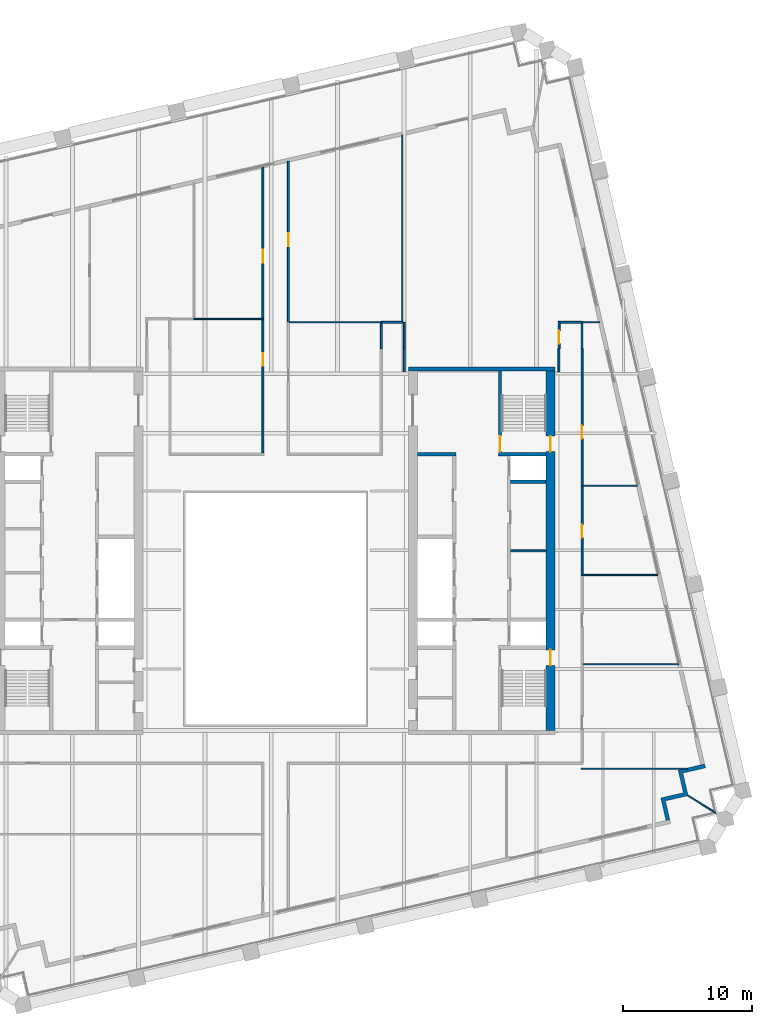
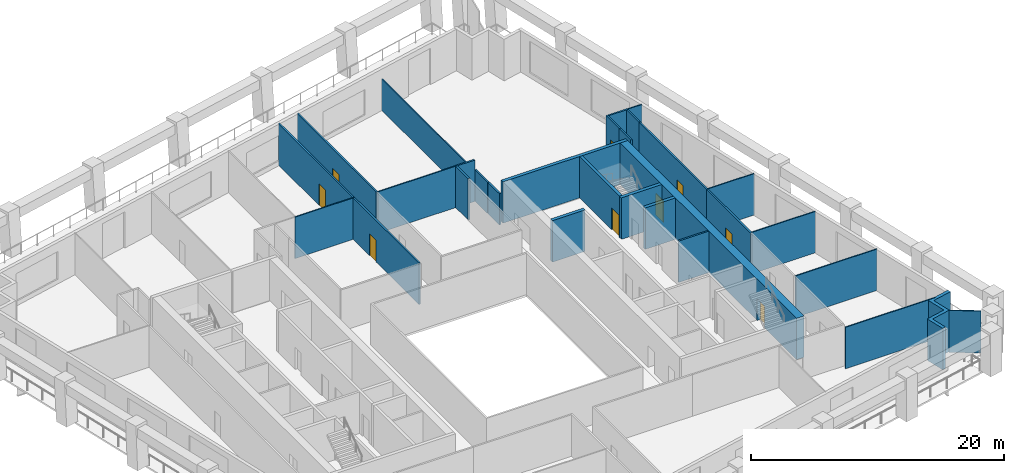
# One storey, part 7 of 10: 30 walls, 9 doors, 9 openings.
"""IFC4 building model written with IfcOpenShell, lengths in metres."""

import ifcopenshell
import ifcopenshell.guid

model = None  # the IFC model being written
_history = None  # IfcOwnerHistory: only IFC2X3 demands one
_inside = {}  # id of a spatial element -> (the spatial element, [elements in it])
_under = {}  # id of a project, library or spatial element -> (it, [spatial elements below it])
_declared = {}  # id of a project -> (the project, [libraries it declares])
_typed = {}  # id of a type object -> (the type object, [elements of that type])
_made_of = {}  # id of a material, layer set ... -> (it, [elements and type objects made of it])


def new_model(schema):
    """Start an empty IFC model of exactly this schema.

    Asked for "IFC4X3", IfcOpenShell would pick the latest addendum, in which some entities
    have other attributes; the version numbers below select the first issue.
    IFC2X3 requires an IfcOwnerHistory on every rooted entity: one is made here for all.
    """
    global model, _history
    if schema == "IFC4X3":
        model = ifcopenshell.file(schema_version=(4, 3, 0, 0))
    else:
        model = ifcopenshell.file(schema=schema)
    _inside.clear()
    _under.clear()
    _declared.clear()
    _typed.clear()
    _made_of.clear()
    _history = None
    if model.schema == "IFC2X3":
        org = make("IfcOrganization", Name="unknown")
        user = make(
            "IfcPersonAndOrganization",
            ThePerson=make("IfcPerson", FamilyName="unknown"),
            TheOrganization=org,
        )
        app = make(
            "IfcApplication",
            ApplicationDeveloper=org,
            Version="unknown",
            ApplicationFullName="unknown",
            ApplicationIdentifier="unknown",
        )
        _history = make(
            "IfcOwnerHistory",
            OwningUser=user,
            OwningApplication=app,
            ChangeAction="ADDED",
            CreationDate=0,
        )
    return model


def make(cls, **values):
    """One entity of the class cls with the attributes given. An attribute that is None is left unset."""
    return model.create_entity(
        cls, **{name: value for name, value in values.items() if value is not None}
    )


def rooted(cls, **values):
    """An entity with a GlobalId (a new one), such as an element, a storey or a relation."""
    return make(cls, GlobalId=ifcopenshell.guid.new(), OwnerHistory=_history, **values)


def si_unit(unit_type, name, prefix=None):
    """IfcSIUnit, for example si_unit("LENGTHUNIT", "METRE", prefix="MILLI")."""
    return make("IfcSIUnit", UnitType=unit_type, Prefix=prefix, Name=name)


def assignment(units):
    """IfcUnitAssignment: the units of a project."""
    return None if units is None else make("IfcUnitAssignment", Units=units)


def point(xyz):
    """IfcCartesianPoint."""
    return None if xyz is None else make("IfcCartesianPoint", Coordinates=xyz)


def direction(xyz):
    """IfcDirection."""
    return None if xyz is None else make("IfcDirection", DirectionRatios=xyz)


def frame(location, z_axis=None, x_axis=None):
    """IfcAxis2Placement3D, a coordinate frame: its origin and axes. An axis left out is left unset."""
    return make(
        "IfcAxis2Placement3D",
        Location=point(location),
        Axis=direction(z_axis),
        RefDirection=direction(x_axis),
    )


def frame_2d(location, x_axis=None):
    """IfcAxis2Placement2D, a coordinate frame in the plane: its origin and x axis."""
    return make(
        "IfcAxis2Placement2D", Location=point(location), RefDirection=direction(x_axis)
    )


def origin():
    """The frame at (0, 0, 0) with its axes left unset."""
    return frame((0.0, 0.0, 0.0))


def place(relative_to, where):
    """IfcLocalPlacement: puts the frame where relative to a parent placement (None: the world)."""
    return make(
        "IfcLocalPlacement", PlacementRelTo=relative_to, RelativePlacement=where
    )


def context(
    kind, dimensions, precision=None, world=None, true_north=None, identifier=None
):
    """IfcGeometricRepresentationContext, for example the 3D "Model" context."""
    return make(
        "IfcGeometricRepresentationContext",
        ContextIdentifier=identifier,
        ContextType=kind,
        CoordinateSpaceDimension=dimensions,
        Precision=precision,
        WorldCoordinateSystem=world,
        TrueNorth=true_north,
    )


def subcontext(parent, identifier, kind, view, scale=None):
    """IfcGeometricRepresentationSubContext, for example "Body" below "Model"."""
    return make(
        "IfcGeometricRepresentationSubContext",
        ContextIdentifier=identifier,
        ContextType=kind,
        ParentContext=parent,
        TargetScale=scale,
        TargetView=view,
    )


def project(units=None, contexts=None):
    """IfcProject with its units and contexts."""
    return rooted(
        "IfcProject",
        Name="project",
        RepresentationContexts=contexts,
        UnitsInContext=assignment(units),
    )


def spatial(cls, under=None, at=None, **own):
    """A site, building, storey or space (cls), placed at a placement, below another one or the project."""
    s = rooted(cls, ObjectPlacement=at, **own)
    if under is not None:
        _under.setdefault(under.id(), (under, []))[1].append(s)
    return s


def polyline(points):
    """IfcPolyline through the points."""
    return make("IfcPolyline", Points=[point(p) for p in points])


def profile(cls, at=None, kind="AREA", **sizes):
    """A parametric profile (cls). Its sizes go by their IFC names, for example OverallWidth=200.0."""
    return make(cls, ProfileType=kind, Position=at, **sizes)


def rectangle(**sizes):
    """IfcRectangleProfileDef."""
    return profile("IfcRectangleProfileDef", **sizes)


def outline(outer, holes=None, kind="AREA"):
    """IfcArbitraryClosedProfileDef: a profile drawn as a closed curve; with holes, ...WithVoids."""
    if holes is None:
        return make("IfcArbitraryClosedProfileDef", ProfileType=kind, OuterCurve=outer)
    return make(
        "IfcArbitraryProfileDefWithVoids",
        ProfileType=kind,
        OuterCurve=outer,
        InnerCurves=holes,
    )


def extrude(swept, where, along, depth):
    """IfcExtrudedAreaSolid: the profile swept, set in the frame where, extruded along a direction by depth."""
    return make(
        "IfcExtrudedAreaSolid",
        SweptArea=swept,
        Position=where,
        ExtrudedDirection=direction(along),
        Depth=depth,
    )


def shape(context_of_items, identifier, shape_type, items):
    """IfcShapeRepresentation: the items that make up one representation, for example the "Body"."""
    return make(
        "IfcShapeRepresentation",
        ContextOfItems=context_of_items,
        RepresentationIdentifier=identifier,
        RepresentationType=shape_type,
        Items=items,
    )


def material(Name=None, Category=None):
    """IfcMaterial."""
    return make("IfcMaterial", Name=Name, Category=Category)


def layer(
    of_material, thickness, ventilated=None, Name=None, Category=None, Priority=None
):
    """IfcMaterialLayer: one layer of a wall or slab, of a material (None: an air gap)."""
    return make(
        "IfcMaterialLayer",
        Material=of_material,
        LayerThickness=thickness,
        IsVentilated=ventilated,
        Name=Name,
        Category=Category,
        Priority=Priority,
    )


def layer_set(layers, Name=None):
    """IfcMaterialLayerSet."""
    return make("IfcMaterialLayerSet", MaterialLayers=layers, LayerSetName=Name)


def made_of(thing, what):
    """Note that an element or type object is made of a material, layer set ...; save() writes the relation."""
    if what is not None:
        _made_of.setdefault(what.id(), (what, []))[1].append(thing)
    return thing


def type_object(cls, material=None, **own):
    """A type object (cls), such as IfcWallType, which elements share."""
    return made_of(rooted(cls, **own), material)


def element(
    cls,
    number,
    at=None,
    inside=None,
    cuts=None,
    type_object=None,
    material=None,
    context=None,
    identifier="Body",
    shape_type=None,
    held_by="IfcProductDefinitionShape",
    body=None,
    shapes=None,
    **own,
):
    """One element of the class cls, such as IfcWall. Its Tag is "e" and its number.

    at: its placement. inside: the storey or other place that contains it. cuts: it is an
    opening in that element (IfcRelVoidsElement). A single representation is given by context,
    identifier, shape_type and body (its items); several are given by shapes. held_by: the class
    of the entity that holds the representations. save() writes the other relations.
    """
    e = rooted(cls, Tag="e%d" % number, ObjectPlacement=at, **own)
    if body is not None:
        shapes = [shape(context, identifier, shape_type, body)]
    if shapes is not None:
        e.Representation = make(held_by, Representations=shapes)
    if inside is not None:
        _inside.setdefault(inside.id(), (inside, []))[1].append(e)
    if cuts is not None:
        rooted(
            "IfcRelVoidsElement", RelatingBuildingElement=cuts, RelatedOpeningElement=e
        )
    if type_object is not None:
        _typed.setdefault(type_object.id(), (type_object, []))[1].append(e)
    return made_of(e, material)


def fill(opening, filler):
    """IfcRelFillsElement: the door or window that sits in an opening."""
    return rooted(
        "IfcRelFillsElement",
        RelatingOpeningElement=opening,
        RelatedBuildingElement=filler,
    )


def aggregate(whole, parts):
    """IfcRelAggregates: a whole, such as a stair, and the parts it consists of."""
    return rooted("IfcRelAggregates", RelatingObject=whole, RelatedObjects=parts)


def save(model, path):
    """Write the relations noted so far, then the file.

    IfcRelAggregates (storeys below a building ...), IfcRelContainedInSpatialStructure (elements
    in a storey), IfcRelDefinesByType, IfcRelAssociatesMaterial and IfcRelDeclares: one each for
    every whole, place, type object, material and project.
    """
    for whole, parts in _under.values():
        aggregate(whole, parts)
    for where, things in _inside.values():
        rooted(
            "IfcRelContainedInSpatialStructure",
            RelatedElements=things,
            RelatingStructure=where,
        )
    for kind, things in _typed.values():
        rooted("IfcRelDefinesByType", RelatedObjects=things, RelatingType=kind)
    for what, things in _made_of.values():
        rooted("IfcRelAssociatesMaterial", RelatedObjects=things, RelatingMaterial=what)
    for by, libraries in _declared.values():
        rooted("IfcRelDeclares", RelatingContext=by, RelatedDefinitions=libraries)
    model.write(path)


model = new_model("IFC4")

# Units and contexts
model_context = context("Model", 3, precision=1e-05, world=origin(), true_north=direction((0.0, 1.0)))
body_context = subcontext(model_context, "Body", "Model", "MODEL_VIEW")
ifc_project = project(units=[si_unit("LENGTHUNIT", "METRE"), si_unit("AREAUNIT", "SQUARE_METRE"), si_unit("VOLUMEUNIT", "CUBIC_METRE"), si_unit("PLANEANGLEUNIT", "RADIAN"), si_unit("MASSUNIT", "GRAM", prefix="KILO")], contexts=[model_context])

# Site, building, storey
site_placement = place(None, origin())
site = spatial("IfcSite", under=ifc_project, at=site_placement, CompositionType="ELEMENT")
building_placement = place(site_placement, origin())
building = spatial("IfcBuilding", under=site, at=building_placement, Name="Ogive Exchange Tower", CompositionType="ELEMENT")
storey_placement = place(building_placement, frame((0.0, 0.0, 201.0)))
storey = spatial("IfcBuildingStorey", under=building, at=storey_placement, Name="L44", CompositionType="ELEMENT", Elevation=201.0)

# Walls
ifc_material_1 = material(Name="Gypsum board partition")
ifc_layer_1 = layer(ifc_material_1, 0.14990234375)
ifc_layer_set_1 = layer_set([ifc_layer_1], Name="Core room partition 150 gypsum")
wall_type_1 = type_object("IfcWallType", Name="Core room partition 150 gypsum", PredefinedType="PARTITIONING", material=ifc_layer_set_1)
wall_1_placement = place(storey_placement, frame((18.25, 11.5, 0.0), z_axis=(0.0, 0.0, 1.0), x_axis=(1.0, 0.0, 0.0)))
element("IfcWall", 1, at=wall_1_placement, inside=storey, type_object=wall_type_1, Name="E row A bay partition 1-1", PredefinedType="PARTITIONING", context=body_context, shape_type="SweptSolid", body=[
    extrude(rectangle(XDim=2.75, YDim=0.14990234375, at=frame_2d((1.375, 0.0))), origin(), (0.0, 0.0, 1.0), 4.0),
])
ifc_layer_2 = layer(ifc_material_1, 0.300048828125)
ifc_layer_set_2 = layer_set([ifc_layer_2], Name="Core room partition 300 gypsum")
wall_type_2 = type_object("IfcWallType", Name="Core room partition 300 gypsum", PredefinedType="PARTITIONING", material=ifc_layer_set_2)
wall_2_placement = place(storey_placement, frame((11.0, 19.0, 0.0), z_axis=(0.0, 0.0, 1.0), x_axis=(1.0, 0.0, 0.0)))
element("IfcWall", 2, at=wall_2_placement, inside=storey, type_object=wall_type_2, Name="E row B room end wall 7", PredefinedType="PARTITIONING", context=body_context, shape_type="SweptSolid", body=[
    extrude(rectangle(XDim=3.0, YDim=0.300048828125, at=frame_2d((1.5, 0.0))), origin(), (0.0, 0.0, 1.0), 4.0),
])

# Wall, opening, door
ifc_material_2 = material(Name="Fire partition EI 60 150")
ifc_layer_3 = layer(ifc_material_2, 0.14990234375)
ifc_layer_set_3 = layer_set([ifc_layer_3], Name="Fire partition EI 60 150")
wall_type_3 = type_object("IfcWallType", Name="Fire partition EI 60 150", PredefinedType="PARTITIONING", material=ifc_layer_set_3)
wall_3_placement = place(storey_placement, frame((-0.989990234375, 19.074951171875, 0.0), z_axis=(0.0, 0.0, 1.0), x_axis=(0.0, 1.0, 0.0)))
wall_3 = element("IfcWall", 3, at=wall_3_placement, inside=storey, type_object=wall_type_3, Name="L44-PWL-027", PredefinedType="PARTITIONING", context=body_context, shape_type="SweptSolid", body=[
    extrude(rectangle(XDim=10.375, YDim=0.14990234375, at=frame_2d((5.1875, 0.0))), origin(), (0.0, 0.0, 1.0), 4.0),
])
opening_1_placement = place(wall_3_placement, frame((6.77490234375, 0.0, 0.0)))
opening_1 = element("IfcOpeningElement", 4, at=opening_1_placement, cuts=wall_3, Name="Opening L44-I02", PredefinedType="OPENING", context=body_context, shape_type="SweptSolid", body=[
    extrude(rectangle(XDim=1.0, YDim=2.10009765625, at=frame_2d((0.5, 1.050048828125))), frame((0.0, 0.0849609375, 0.0), z_axis=(0.0, -1.0, 0.0), x_axis=(1.0, 0.0, 0.0)), (0.0, 0.0, 1.0), 0.169921875),
])
ifc_material_3 = material(Name="Fire door FD 30S 1000 x 2100")
door_type_1 = type_object("IfcDoorType", Name="Fire door FD 30S 1000 x 2100", OperationType="NOTDEFINED", PredefinedType="DOOR", material=ifc_material_3)
door_1_placement = place(opening_1_placement, origin())
door_1 = element("IfcDoor", 5, at=door_1_placement, inside=storey, type_object=door_type_1, Name="L44-IDR-002", ObjectType="DT3", OperationType="SINGLE_SWING_LEFT", OverallHeight=2.10009765625, OverallWidth=1.0, PredefinedType="DOOR", context=body_context, shape_type="SweptSolid", body=[
    extrude(rectangle(XDim=1.0, YDim=2.10009765625, at=frame_2d((0.5, 1.050048828125))), frame((0.0, 0.02490234375, 0.0), z_axis=(0.0, -1.0, 0.0), x_axis=(1.0, 0.0, 0.0)), (0.0, 0.0, 1.0), 0.050048828125),
])
fill(opening_1, door_1)

wall_4_placement = place(storey_placement, frame((-0.989990234375, 29.550048828125, 0.0), z_axis=(0.0, 0.0, 1.0), x_axis=(0.0, 1.0, 0.0)))
wall_4 = element("IfcWall", 6, at=wall_4_placement, inside=storey, type_object=wall_type_3, Name="L44-PWL-028", PredefinedType="PARTITIONING", context=body_context, shape_type="SweptSolid", body=[
    extrude(rectangle(XDim=11.745849609375, YDim=0.14990234375, at=frame_2d((5.873046875, 0.0))), origin(), (0.0, 0.0, 1.0), 4.0),
])
opening_2_placement = place(wall_4_placement, frame((4.320068359375, 0.0, 0.0)))
opening_2 = element("IfcOpeningElement", 7, at=opening_2_placement, cuts=wall_4, Name="Opening L44-I04", PredefinedType="OPENING", context=body_context, shape_type="SweptSolid", body=[
    extrude(rectangle(XDim=1.0, YDim=2.10009765625, at=frame_2d((0.5, 1.050048828125))), frame((0.0, 0.0849609375, 0.0), z_axis=(0.0, -1.0, 0.0), x_axis=(1.0, 0.0, 0.0)), (0.0, 0.0, 1.0), 0.169921875),
])
door_2_placement = place(opening_2_placement, origin())
door_2 = element("IfcDoor", 8, at=door_2_placement, inside=storey, type_object=door_type_1, Name="L44-IDR-004", ObjectType="DT3", OperationType="SINGLE_SWING_RIGHT", OverallHeight=2.10009765625, OverallWidth=1.0, PredefinedType="DOOR", context=body_context, shape_type="SweptSolid", body=[
    extrude(rectangle(XDim=1.0, YDim=2.10009765625, at=frame_2d((0.5, 1.050048828125))), frame((0.0, 0.02490234375, 0.0), z_axis=(0.0, -1.0, 0.0), x_axis=(1.0, 0.0, 0.0)), (0.0, 0.0, 1.0), 0.050048828125),
])
fill(opening_2, door_2)

wall_5_placement = place(storey_placement, frame((0.989990234375, 41.7529296875, 0.0), z_axis=(0.0, 0.0, 1.0), x_axis=(0.0, -1.0, 0.0)))
wall_5 = element("IfcWall", 9, at=wall_5_placement, inside=storey, type_object=wall_type_3, Name="L44-PWL-033", PredefinedType="PARTITIONING", context=body_context, shape_type="SweptSolid", body=[
    extrude(rectangle(XDim=12.512939453125, YDim=0.14990234375, at=frame_2d((6.25634765625, 0.0))), origin(), (0.0, 0.0, 1.0), 4.0),
])
opening_3_placement = place(wall_5_placement, frame((5.613037109375, 0.0, 0.0)))
opening_3 = element("IfcOpeningElement", 10, at=opening_3_placement, cuts=wall_5, Name="Opening L44-I16", PredefinedType="OPENING", context=body_context, shape_type="SweptSolid", body=[
    extrude(rectangle(XDim=1.0, YDim=2.10009765625, at=frame_2d((0.5, 1.050048828125))), frame((0.0, 0.0849609375, 0.0), z_axis=(0.0, -1.0, 0.0), x_axis=(1.0, 0.0, 0.0)), (0.0, 0.0, 1.0), 0.169921875),
])
door_3_placement = place(opening_3_placement, origin())
door_3 = element("IfcDoor", 11, at=door_3_placement, inside=storey, type_object=door_type_1, Name="L44-IDR-016", ObjectType="DT3", OperationType="SINGLE_SWING_LEFT", OverallHeight=2.10009765625, OverallWidth=1.0, PredefinedType="DOOR", context=body_context, shape_type="SweptSolid", body=[
    extrude(rectangle(XDim=1.0, YDim=2.10009765625, at=frame_2d((0.5, 1.050048828125))), frame((0.0, 0.02490234375, 0.0), z_axis=(0.0, -1.0, 0.0), x_axis=(1.0, 0.0, 0.0)), (0.0, 0.0, 1.0), 0.050048828125),
])
fill(opening_3, door_3)

# Walls
wall_6_placement = place(storey_placement, frame((8.2099609375, 27.199951171875, 0.0), z_axis=(0.0, 0.0, 1.0), x_axis=(0.0, 1.0, 0.0)))
element("IfcWall", 12, at=wall_6_placement, inside=storey, type_object=wall_type_3, Name="L44-PWL-035", PredefinedType="PARTITIONING", context=body_context, shape_type="SweptSolid", body=[
    extrude(rectangle(XDim=1.989990234375, YDim=0.14990234375, at=frame_2d((0.9951171875, 0.0))), origin(), (0.0, 0.0, 1.0), 4.0),
])
wall_7_placement = place(storey_placement, frame((8.2099609375, 29.239990234375, 0.0), z_axis=(0.0, 0.0, 1.0), x_axis=(1.0, 0.0, 0.0)))
element("IfcWall", 13, at=wall_7_placement, inside=storey, type_object=wall_type_3, Name="L44-PWL-036", PredefinedType="PARTITIONING", context=body_context, shape_type="SweptSolid", body=[
    extrude(rectangle(XDim=1.669921875, YDim=0.14990234375, at=frame_2d((0.8349609375, 0.0))), origin(), (0.0, 0.0, 1.0), 4.0),
])
wall_8_placement = place(storey_placement, frame((9.989990234375, 29.239990234375, 0.0), z_axis=(0.0, 0.0, 1.0), x_axis=(0.0, -1.0, 0.0)))
element("IfcWall", 14, at=wall_8_placement, inside=storey, type_object=wall_type_3, Name="L44-PWL-038", PredefinedType="PARTITIONING", context=body_context, shape_type="SweptSolid", body=[
    extrude(rectangle(XDim=2.0400390625, YDim=0.14990234375, at=frame_2d((1.02001953125, 0.0))), origin(), (0.0, 0.0, 1.0), 3.02001953125),
])
wall_9_placement = place(storey_placement, frame((10.0, 27.199951171875, 0.0), z_axis=(0.0, 0.0, 1.0), x_axis=(0.0, -1.0, 0.0)))
element("IfcWall", 15, at=wall_9_placement, inside=storey, type_object=wall_type_3, Name="L44-PWL-040", PredefinedType="PARTITIONING", context=body_context, shape_type="SweptSolid", body=[
    extrude(rectangle(XDim=1.81005859375, YDim=0.14990234375, at=frame_2d((0.905029296875, 0.0))), origin(), (0.0, 0.0, 1.0), 3.02001953125),
])
wall_10_placement = place(storey_placement, frame((22.0, 25.389892578125, 0.0), z_axis=(0.0, 0.0, 1.0), x_axis=(0.0, 1.0, 0.0)))
element("IfcWall", 16, at=wall_10_placement, inside=storey, type_object=wall_type_3, Name="L44-PWL-043", PredefinedType="PARTITIONING", context=body_context, shape_type="SweptSolid", body=[
    extrude(rectangle(XDim=1.81005859375, YDim=0.14990234375, at=frame_2d((0.905029296875, 0.0))), origin(), (0.0, 0.0, 1.0), 4.0),
])

# Wall, opening, door
wall_11_placement = place(storey_placement, frame((22.010009765625, 27.199951171875, 0.0), z_axis=(0.0, 0.0, 1.0), x_axis=(0.0, 1.0, 0.0)))
wall_11 = element("IfcWall", 17, at=wall_11_placement, inside=storey, type_object=wall_type_3, Name="L44-PWL-044", PredefinedType="PARTITIONING", context=body_context, shape_type="SweptSolid", body=[
    extrude(rectangle(XDim=2.114990234375, YDim=0.14990234375, at=frame_2d((1.0576171875, 0.0))), origin(), (0.0, 0.0, 1.0), 4.0),
])
opening_4_placement = place(wall_11_placement, frame((0.389892578125, 0.0, 0.0)))
opening_4 = element("IfcOpeningElement", 18, at=opening_4_placement, cuts=wall_11, Name="Opening L44-I17", PredefinedType="OPENING", context=body_context, shape_type="SweptSolid", body=[
    extrude(rectangle(XDim=1.0, YDim=2.10009765625, at=frame_2d((0.5, 1.050048828125))), frame((0.0, 0.0849609375, 0.0), z_axis=(0.0, -1.0, 0.0), x_axis=(1.0, 0.0, 0.0)), (0.0, 0.0, 1.0), 0.169921875),
])
door_4_placement = place(opening_4_placement, origin())
door_4 = element("IfcDoor", 19, at=door_4_placement, inside=storey, type_object=door_type_1, Name="L44-IDR-017", ObjectType="DT3", OperationType="SINGLE_SWING_LEFT", OverallHeight=2.10009765625, OverallWidth=1.0, PredefinedType="DOOR", context=body_context, shape_type="SweptSolid", body=[
    extrude(rectangle(XDim=1.0, YDim=2.10009765625, at=frame_2d((0.5, 1.050048828125))), frame((0.0, 0.02490234375, 0.0), z_axis=(0.0, -1.0, 0.0), x_axis=(1.0, 0.0, 0.0)), (0.0, 0.0, 1.0), 0.050048828125),
])
fill(opening_4, door_4)

# Walls
wall_12_placement = place(storey_placement, frame((22.0849609375, 29.239990234375, 0.0), z_axis=(0.0, 0.0, 1.0), x_axis=(1.0, 0.0, 0.0)))
element("IfcWall", 20, at=wall_12_placement, inside=storey, type_object=wall_type_3, Name="L44-PWL-045", PredefinedType="PARTITIONING", context=body_context, shape_type="SweptSolid", body=[
    extrude(rectangle(XDim=1.780029296875, YDim=0.14990234375, at=frame_2d((0.89013671875, 0.0))), origin(), (0.0, 0.0, 1.0), 4.0),
])
wall_13_placement = place(storey_placement, frame((23.7900390625, 29.1650390625, 0.0), z_axis=(0.0, 0.0, 1.0), x_axis=(0.0, -1.0, 0.0)))
element("IfcWall", 21, at=wall_13_placement, inside=storey, type_object=wall_type_3, Name="L44-PWL-048", PredefinedType="PARTITIONING", context=body_context, shape_type="SweptSolid", body=[
    extrude(rectangle(XDim=1.965087890625, YDim=0.14990234375, at=frame_2d((0.982421875, 0.0))), origin(), (0.0, 0.0, 1.0), 4.0),
])

# Wall, opening, door
wall_14_placement = place(storey_placement, frame((23.800048828125, 16.5, 0.0), z_axis=(0.0, 0.0, 1.0), x_axis=(0.0, -1.0, 0.0)))
wall_14 = element("IfcWall", 22, at=wall_14_placement, inside=storey, type_object=wall_type_3, Name="L44-PWL-052", PredefinedType="PARTITIONING", context=body_context, shape_type="SweptSolid", body=[
    extrude(rectangle(XDim=6.929931640625, YDim=0.14990234375, at=frame_2d((3.46484375, 0.0))), origin(), (0.0, 0.0, 1.0), 4.0),
])
opening_5_placement = place(wall_14_placement, frame((2.97998046875, 0.0, 0.0)))
opening_5 = element("IfcOpeningElement", 23, at=opening_5_placement, cuts=wall_14, Name="Opening L44-I11", PredefinedType="OPENING", context=body_context, shape_type="SweptSolid", body=[
    extrude(rectangle(XDim=1.0, YDim=2.10009765625, at=frame_2d((0.5, 1.050048828125))), frame((0.0, 0.0849609375, 0.0), z_axis=(0.0, -1.0, 0.0), x_axis=(1.0, 0.0, 0.0)), (0.0, 0.0, 1.0), 0.169921875),
])
door_5_placement = place(opening_5_placement, origin())
door_5 = element("IfcDoor", 24, at=door_5_placement, inside=storey, type_object=door_type_1, Name="L44-IDR-011", ObjectType="DT3", OperationType="SINGLE_SWING_RIGHT", OverallHeight=2.10009765625, OverallWidth=1.0, PredefinedType="DOOR", context=body_context, shape_type="SweptSolid", body=[
    extrude(rectangle(XDim=1.0, YDim=2.10009765625, at=frame_2d((0.5, 1.050048828125))), frame((0.0, 0.02490234375, 0.0), z_axis=(0.0, -1.0, 0.0), x_axis=(1.0, 0.0, 0.0)), (0.0, 0.0, 1.0), 0.050048828125),
])
fill(opening_5, door_5)

wall_15_placement = place(storey_placement, frame((23.800048828125, 27.199951171875, 0.0), z_axis=(0.0, 0.0, 1.0), x_axis=(0.0, -1.0, 0.0)))
wall_15 = element("IfcWall", 25, at=wall_15_placement, inside=storey, type_object=wall_type_3, Name="L44-PWL-053", PredefinedType="PARTITIONING", context=body_context, shape_type="SweptSolid", body=[
    extrude(rectangle(XDim=10.699951171875, YDim=0.14990234375, at=frame_2d((5.35009765625, 0.0))), origin(), (0.0, 0.0, 1.0), 4.0),
])
opening_6_placement = place(wall_15_placement, frame((6.0, 0.0, 0.0)))
opening_6 = element("IfcOpeningElement", 26, at=opening_6_placement, cuts=wall_15, Name="Opening L44-I10", PredefinedType="OPENING", context=body_context, shape_type="SweptSolid", body=[
    extrude(rectangle(XDim=1.0, YDim=2.10009765625, at=frame_2d((0.5, 1.050048828125))), frame((0.0, 0.0849609375, 0.0), z_axis=(0.0, -1.0, 0.0), x_axis=(1.0, 0.0, 0.0)), (0.0, 0.0, 1.0), 0.169921875),
])
door_6_placement = place(opening_6_placement, origin())
door_6 = element("IfcDoor", 27, at=door_6_placement, inside=storey, type_object=door_type_1, Name="L44-IDR-010", ObjectType="DT3", OperationType="SINGLE_SWING_LEFT", OverallHeight=2.10009765625, OverallWidth=1.0, PredefinedType="DOOR", context=body_context, shape_type="SweptSolid", body=[
    extrude(rectangle(XDim=1.0, YDim=2.10009765625, at=frame_2d((0.5, 1.050048828125))), frame((0.0, 0.02490234375, 0.0), z_axis=(0.0, -1.0, 0.0), x_axis=(1.0, 0.0, 0.0)), (0.0, 0.0, 1.0), 0.050048828125),
])
fill(opening_6, door_6)

# Walls
ifc_material_4 = material(Name="Precast concrete C40/50", Category="concrete")
ifc_layer_4 = layer(ifc_material_4, 0.300048828125)
ifc_layer_set_4 = layer_set([ifc_layer_4], Name="Limestone-faced wall 300")
wall_type_4 = type_object("IfcWallType", Name="Limestone-faced wall 300", PredefinedType="STANDARD", material=ifc_layer_set_4)
wall_16_placement = place(storey_placement, origin())
element("IfcWall", 28, at=wall_16_placement, inside=storey, type_object=wall_type_4, Name="External corner wall C1", PredefinedType="STANDARD", context=body_context, shape_type="SweptSolid", body=[
    extrude(outline(polyline([(31.662109375, -7.28466796875), (31.257080078125, -5.53076171875), (33.30322265625, -5.058349609375), (33.370849609375, -5.3505859375), (31.616943359375, -5.755615234375), (32.02197265625, -7.509521484375), (30.26806640625, -7.914306640625), (30.60546875, -9.3759765625), (30.31298828125, -9.443359375), (29.908203125, -7.689697265625), (31.662109375, -7.28466796875)])), origin(), (0.0, 0.0, 1.0), 4.0),
])
ifc_material_5 = material(Name="Laminated safety glass in steel frame", Category="steel")
ifc_layer_5 = layer(ifc_material_5, 0.10009765625)
ifc_layer_set_5 = layer_set([ifc_layer_5], Name="Loggia end screen 100")
wall_type_5 = type_object("IfcWallType", Name="Loggia end screen 100", PredefinedType="STANDARD", material=ifc_layer_set_5)
wall_17_placement = place(storey_placement, frame((32.02197265625, -7.509521484375, -0.050048828125), z_axis=(0.0, 0.0, 1.0), x_axis=(0.848047176257, -0.529920736377, 0.0)))
element("IfcWall", 29, at=wall_17_placement, inside=storey, type_object=wall_type_5, Name="Loggia end screen C1", PredefinedType="STANDARD", context=body_context, shape_type="SweptSolid", body=[
    extrude(rectangle(XDim=2.525634765625, YDim=0.10009765625, at=frame_2d((1.2626953125, 0.0))), origin(), (0.0, 0.0, 1.0), 4.050048828125),
])
ifc_material_6 = material(Name="Partition 100 gypsum")
ifc_layer_6 = layer(ifc_material_6, 0.10009765625)
ifc_layer_set_6 = layer_set([ifc_layer_6], Name="Partition 100 gypsum")
wall_type_6 = type_object("IfcWallType", Name="Partition 100 gypsum", PredefinedType="PARTITIONING", material=ifc_layer_set_6)
wall_18_placement = place(storey_placement, frame((-6.389892578125, 29.5, 0.0), z_axis=(0.0, 0.0, 1.0), x_axis=(1.0, 0.0, 0.0)))
element("IfcWall", 30, at=wall_18_placement, inside=storey, type_object=wall_type_6, Name="L44-PWL-021", PredefinedType="PARTITIONING", context=body_context, shape_type="SweptSolid", body=[
    extrude(rectangle(XDim=5.474853515625, YDim=0.10009765625, at=frame_2d((2.7373046875, 0.0))), origin(), (0.0, 0.0, 1.0), 4.0),
])
wall_19_placement = place(storey_placement, frame((1.06494140625, 29.239990234375, 0.0), z_axis=(0.0, 0.0, 1.0), x_axis=(1.0, 0.0, 0.0)))
element("IfcWall", 31, at=wall_19_placement, inside=storey, type_object=wall_type_6, Name="L44-PWL-032", PredefinedType="PARTITIONING", context=body_context, shape_type="SweptSolid", body=[
    extrude(rectangle(XDim=7.14501953125, YDim=0.10009765625, at=frame_2d((3.572509765625, 0.0))), origin(), (0.0, 0.0, 1.0), 4.0),
])
wall_20_placement = place(storey_placement, frame((9.830078125, 43.7939453125, 0.0), z_axis=(0.0, 0.0, 1.0), x_axis=(0.0, -1.0, 0.0)))
element("IfcWall", 32, at=wall_20_placement, inside=storey, type_object=wall_type_6, Name="L44-PWL-037", PredefinedType="PARTITIONING", context=body_context, shape_type="SweptSolid", body=[
    extrude(rectangle(XDim=14.47900390625, YDim=0.10009765625, at=frame_2d((7.239501953125, 0.0))), origin(), (0.0, 0.0, 1.0), 3.02001953125),
])
wall_21_placement = place(storey_placement, frame((23.739990234375, -5.419921875, 0.0), z_axis=(0.0, 0.0, 1.0), x_axis=(1.0, 0.0, 0.0)))
element("IfcWall", 33, at=wall_21_placement, inside=storey, type_object=wall_type_6, Name="L44-PWL-046", PredefinedType="PARTITIONING", context=body_context, shape_type="SweptSolid", body=[
    extrude(rectangle(XDim=8.241943359375, YDim=0.10009765625, at=frame_2d((4.12109375, 0.0))), origin(), (0.0, 0.0, 1.0), 4.0),
])
wall_22_placement = place(storey_placement, frame((23.864990234375, 29.239990234375, 0.0), z_axis=(0.0, 0.0, 1.0), x_axis=(1.0, 0.0, 0.0)))
element("IfcWall", 34, at=wall_22_placement, inside=storey, type_object=wall_type_6, Name="L44-PWL-049", PredefinedType="PARTITIONING", context=body_context, shape_type="SweptSolid", body=[
    extrude(rectangle(XDim=1.294921875, YDim=0.10009765625, at=frame_2d((0.6474609375, 0.0))), origin(), (0.0, 0.0, 1.0), 4.0),
])
wall_23_placement = place(storey_placement, frame((28.089111328125, 16.550048828125, 0.0), z_axis=(0.0, 0.0, 1.0), x_axis=(-1.0, 0.0, 0.0)))
element("IfcWall", 35, at=wall_23_placement, inside=storey, type_object=wall_type_6, Name="L44-PWL-054", PredefinedType="PARTITIONING", context=body_context, shape_type="SweptSolid", body=[
    extrude(rectangle(XDim=4.214111328125, YDim=0.10009765625, at=frame_2d((2.10693359375, 0.0))), origin(), (0.0, 0.0, 1.0), 4.0),
])
wall_24_placement = place(storey_placement, frame((29.68896484375, 9.6201171875, 0.0), z_axis=(0.0, 0.0, 1.0), x_axis=(-1.0, 0.0, 0.0)))
element("IfcWall", 36, at=wall_24_placement, inside=storey, type_object=wall_type_6, Name="L44-PWL-055", PredefinedType="PARTITIONING", context=body_context, shape_type="SweptSolid", body=[
    extrude(rectangle(XDim=5.81396484375, YDim=0.10009765625, at=frame_2d((2.906982421875, 0.0))), origin(), (0.0, 0.0, 1.0), 4.0),
])
wall_25_placement = place(storey_placement, frame((31.2890625, 2.68994140625, 0.0), z_axis=(0.0, 0.0, 1.0), x_axis=(-1.0, 0.0, 0.0)))
element("IfcWall", 37, at=wall_25_placement, inside=storey, type_object=wall_type_6, Name="L44-PWL-056", PredefinedType="PARTITIONING", context=body_context, shape_type="SweptSolid", body=[
    extrude(rectangle(XDim=7.4140625, YDim=0.10009765625, at=frame_2d((3.70703125, 0.0))), origin(), (0.0, 0.0, 1.0), 4.0),
])

# Wall, opening, door
ifc_material_7 = material(Name="Concrete C70/85", Category="concrete")
ifc_layer_7 = layer(ifc_material_7, 0.25)
ifc_layer_set_7 = layer_set([ifc_layer_7], Name="RC core wall 250 C70/85")
wall_type_7 = type_object("IfcWallType", Name="RC core wall 250 C70/85", PredefinedType="SHEAR", material=ifc_layer_set_7)
wall_26_placement = place(storey_placement, frame((17.425048828125, 19.14990234375, 0.0), z_axis=(0.0, 0.0, 1.0), x_axis=(0.0, 1.0, 0.0)))
wall_26 = element("IfcWall", 38, at=wall_26_placement, inside=storey, type_object=wall_type_7, Name="E stair N front wall", PredefinedType="SHEAR", context=body_context, shape_type="SweptSolid", body=[
    extrude(rectangle(XDim=6.300048828125, YDim=0.25, at=frame_2d((3.14990234375, 0.0))), origin(), (0.0, 0.0, 1.0), 4.0),
])
opening_7_placement = place(wall_26_placement, frame((0.050048828125, 0.0, 0.0)))
opening_7 = element("IfcOpeningElement", 39, at=opening_7_placement, cuts=wall_26, Name="Opening L44-C32", PredefinedType="OPENING", context=body_context, shape_type="SweptSolid", body=[
    extrude(rectangle(XDim=1.199951171875, YDim=2.10009765625, at=frame_2d((0.60009765625, 1.050048828125))), frame((0.0, 0.135009765625, 0.0), z_axis=(0.0, -1.0, 0.0), x_axis=(1.0, 0.0, 0.0)), (0.0, 0.0, 1.0), 0.27001953125),
])
ifc_material_8 = material(Name="Steel fire door", Category="steel")
door_type_2 = type_object("IfcDoorType", Name="Stair door FD90 1200 x 2100", OperationType="NOTDEFINED", PredefinedType="DOOR", material=ifc_material_8)
door_7_placement = place(opening_7_placement, frame((1.199951171875, 0.0, 0.0), z_axis=(0.0, 0.0, 1.0), x_axis=(-1.0, 0.0, 0.0)))
door_7 = element("IfcDoor", 40, at=door_7_placement, inside=storey, type_object=door_type_2, Name="Stair door", ObjectType="CD5", OperationType="SINGLE_SWING_LEFT", OverallHeight=2.10009765625, OverallWidth=1.199951171875, PredefinedType="DOOR", context=body_context, shape_type="SweptSolid", body=[
    extrude(rectangle(XDim=1.199951171875, YDim=2.10009765625, at=frame_2d((0.60009765625, 1.050048828125))), frame((0.0, 0.02490234375, 0.0), z_axis=(0.0, -1.0, 0.0), x_axis=(1.0, 0.0, 0.0)), (0.0, 0.0, 1.0), 0.050048828125),
])
fill(opening_7, door_7)

# Walls
ifc_layer_8 = layer(ifc_material_7, 0.300048828125)
ifc_layer_set_8 = layer_set([ifc_layer_8], Name="RC core wall 300 C70/85")
wall_type_8 = type_object("IfcWallType", Name="RC core wall 300 C70/85", PredefinedType="SHEAR", material=ifc_layer_set_8)
wall_27_placement = place(storey_placement, frame((10.300048828125, 25.60009765625, 0.0), z_axis=(0.0, 0.0, 1.0), x_axis=(1.0, 0.0, 0.0)))
element("IfcWall", 41, at=wall_27_placement, inside=storey, type_object=wall_type_8, Name="E north end wall", PredefinedType="SHEAR", context=body_context, shape_type="SweptSolid", body=[
    extrude(rectangle(XDim=11.39990234375, YDim=0.300048828125, at=frame_2d((5.699951171875, 0.0))), origin(), (0.0, 0.0, 1.0), 4.0),
])
wall_28_placement = place(storey_placement, frame((17.300048828125, 19.0, 0.0), z_axis=(0.0, 0.0, 1.0), x_axis=(1.0, 0.0, 0.0)))
element("IfcWall", 42, at=wall_28_placement, inside=storey, type_object=wall_type_8, Name="E stair N south wall", PredefinedType="SHEAR", context=body_context, shape_type="SweptSolid", body=[
    extrude(rectangle(XDim=3.699951171875, YDim=0.300048828125, at=frame_2d((1.85009765625, 0.0))), origin(), (0.0, 0.0, 1.0), 4.0),
])
wall_29_placement = place(storey_placement, frame((18.25, 16.857177734375, 0.0), z_axis=(0.0, 0.0, 1.0), x_axis=(1.0, 0.0, 0.0)))
element("IfcWall", 43, at=wall_29_placement, inside=storey, type_object=wall_type_8, Name="E row A divider 6", PredefinedType="SHEAR", context=body_context, shape_type="SweptSolid", body=[
    extrude(rectangle(XDim=2.75, YDim=0.300048828125, at=frame_2d((1.375, 0.0))), origin(), (0.0, 0.0, 1.0), 4.0),
])

# Wall, openings, doors
ifc_layer_9 = layer(ifc_material_7, 0.699951171875)
ifc_layer_set_9 = layer_set([ifc_layer_9], Name="RC core wall 700 C70/85")
wall_type_9 = type_object("IfcWallType", Name="RC core wall 700 C70/85", PredefinedType="SHEAR", material=ifc_layer_set_9)
wall_30_placement = place(storey_placement, frame((21.35009765625, -2.449951171875, 0.0), z_axis=(0.0, 0.0, 1.0), x_axis=(0.0, 1.0, 0.0)))
wall_30 = element("IfcWall", 44, at=wall_30_placement, inside=storey, type_object=wall_type_9, Name="E outer wall", PredefinedType="SHEAR", context=body_context, shape_type="SweptSolid", body=[
    extrude(rectangle(XDim=27.89990234375, YDim=0.699951171875, at=frame_2d((13.949951171875, 0.0))), origin(), (0.0, 0.0, 1.0), 4.0),
])
opening_8_placement = place(wall_30_placement, frame((5.050048828125, 0.0, 0.0)))
opening_8 = element("IfcOpeningElement", 45, at=opening_8_placement, cuts=wall_30, Name="Opening L44-C31", PredefinedType="OPENING", context=body_context, shape_type="SweptSolid", body=[
    extrude(rectangle(XDim=1.199951171875, YDim=2.10009765625, at=frame_2d((0.60009765625, 1.050048828125))), frame((0.0, 0.35986328125, 0.0), z_axis=(0.0, -1.0, 0.0), x_axis=(1.0, 0.0, 0.0)), (0.0, 0.0, 1.0), 0.719970703125),
])
opening_9_placement = place(wall_30_placement, frame((21.64990234375, 0.0, 0.0)))
opening_9 = element("IfcOpeningElement", 46, at=opening_9_placement, cuts=wall_30, Name="Opening L44-C33", PredefinedType="OPENING", context=body_context, shape_type="SweptSolid", body=[
    extrude(rectangle(XDim=1.199951171875, YDim=2.10009765625, at=frame_2d((0.60009765625, 1.050048828125))), frame((0.0, 0.35986328125, 0.0), z_axis=(0.0, -1.0, 0.0), x_axis=(1.0, 0.0, 0.0)), (0.0, 0.0, 1.0), 0.719970703125),
])
door_8_placement = place(opening_8_placement, origin())
door_8 = element("IfcDoor", 47, at=door_8_placement, inside=storey, type_object=door_type_2, Name="Stair door", ObjectType="CD5", OperationType="SINGLE_SWING_LEFT", OverallHeight=2.10009765625, OverallWidth=1.199951171875, PredefinedType="DOOR", context=body_context, shape_type="SweptSolid", body=[
    extrude(rectangle(XDim=1.199951171875, YDim=2.10009765625, at=frame_2d((0.60009765625, 1.050048828125))), frame((0.0, 0.02490234375, 0.0), z_axis=(0.0, -1.0, 0.0), x_axis=(1.0, 0.0, 0.0)), (0.0, 0.0, 1.0), 0.050048828125),
])
fill(opening_8, door_8)
door_9_placement = place(opening_9_placement, origin())
door_9 = element("IfcDoor", 48, at=door_9_placement, inside=storey, type_object=door_type_2, Name="Stair door", ObjectType="CD5", OperationType="SINGLE_SWING_RIGHT", OverallHeight=2.10009765625, OverallWidth=1.199951171875, PredefinedType="DOOR", context=body_context, shape_type="SweptSolid", body=[
    extrude(rectangle(XDim=1.199951171875, YDim=2.10009765625, at=frame_2d((0.60009765625, 1.050048828125))), frame((0.0, 0.02490234375, 0.0), z_axis=(0.0, -1.0, 0.0), x_axis=(1.0, 0.0, 0.0)), (0.0, 0.0, 1.0), 0.050048828125),
])
fill(opening_9, door_9)

save(model, "model.ifc")
